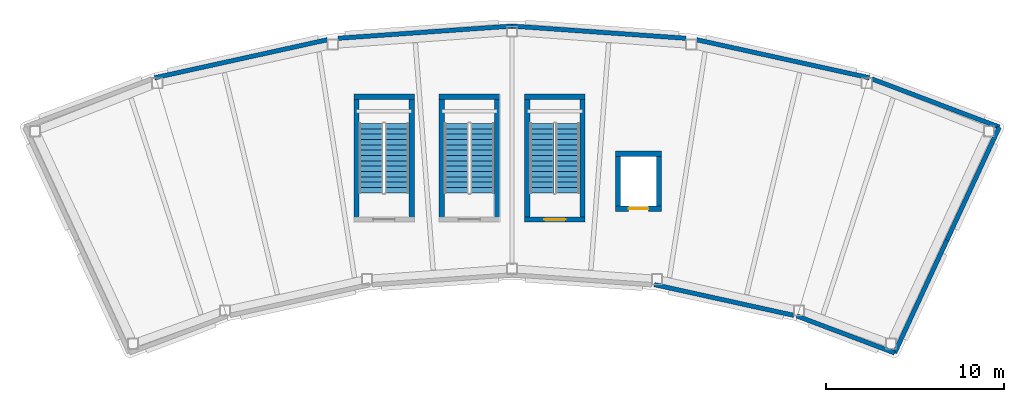
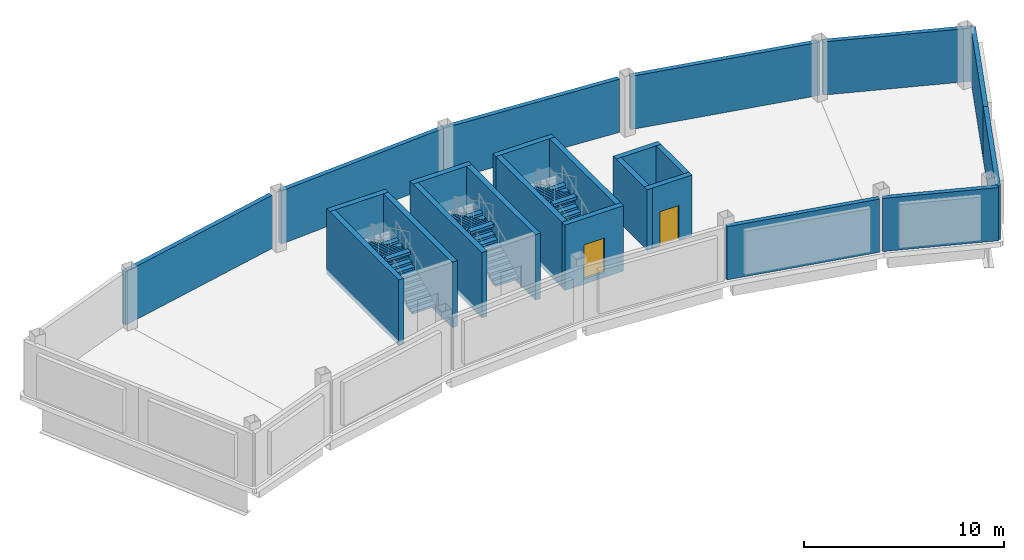
# One storey, part 2 of 3: 23 walls, 6 stair flights, 2 doors, 2 openings, 3 elements without a shape of their own.
"""IFC4 building model written with IfcOpenShell, lengths in metres."""

from ifc_helpers import new_model, si_unit, direction, frame, frame_2d, origin, place, context, subcontext, project, spatial, polyline, rectangle, outline, extrude, material, layer, layer_set, type_object, element, fill, aggregate, save


model = new_model("IFC4")

# Units and contexts
model_context = context("Model", 3, precision=1e-05, world=origin(), true_north=direction((0.0, 1.0)))
body_context = subcontext(model_context, "Body", "Model", "MODEL_VIEW")
ifc_project = project(units=[si_unit("LENGTHUNIT", "METRE"), si_unit("AREAUNIT", "SQUARE_METRE"), si_unit("VOLUMEUNIT", "CUBIC_METRE"), si_unit("PLANEANGLEUNIT", "RADIAN"), si_unit("MASSUNIT", "GRAM", prefix="KILO")], contexts=[model_context])

# Site, building, storey
site_placement = place(None, origin())
site = spatial("IfcSite", under=ifc_project, at=site_placement, CompositionType="ELEMENT")
building_placement = place(site_placement, origin())
building = spatial("IfcBuilding", under=site, at=building_placement, Name="Tuul Gate Civic Tower", CompositionType="ELEMENT")
storey_placement = place(building_placement, frame((0.0, 0.0, 372.10009765625)))
storey = spatial("IfcBuildingStorey", under=building, at=storey_placement, Name="Crown tier 2 upper", CompositionType="ELEMENT", Elevation=372.10009765625)

# Walls
ifc_material_1 = material(Name="Concrete C50/60", Category="concrete")
ifc_layer_1 = layer(ifc_material_1, 0.300048828125)
ifc_layer_set_1 = layer_set([ifc_layer_1], Name="Concrete C50/60")
wall_type_1 = type_object("IfcWallType", Name="Core wall C50/60", PredefinedType="SHEAR", material=ifc_layer_set_1)
for number, where, z_axis, x_axis, name in (
    (1, (-3.449951171875, -0.89990234375, -0.300048828125), (0.0, 0.0, 1.0), (0.0, 1.0, 0.0), "Core wall"),
    (2, (-6.550048828125, 6.300048828125, -0.300048828125), (0.0, 0.0, 1.0), (0.0, -1.0, 0.0), "Core wall"),
):
    element("IfcWall", number, at=place(storey_placement, frame(where, z_axis=z_axis, x_axis=x_axis)), inside=storey, type_object=wall_type_1, Name=name, PredefinedType="SHEAR", context=body_context, shape_type="SweptSolid", body=[
        extrude(rectangle(XDim=7.199951171875, YDim=0.300048828125, at=frame_2d((3.60009765625, 0.0))), origin(), (0.0, 0.0, 1.0), 4.0),
    ])
wall_1_placement = place(storey_placement, frame((-3.300048828125, 6.14990234375, -0.300048828125), z_axis=(0.0, 0.0, 1.0), x_axis=(-1.0, 0.0, 0.0)))
element("IfcWall", 3, at=wall_1_placement, inside=storey, type_object=wall_type_1, Name="Core wall", PredefinedType="SHEAR", context=body_context, shape_type="SweptSolid", body=[
    extrude(rectangle(XDim=3.39990234375, YDim=0.300048828125, at=frame_2d((1.699951171875, 0.0))), origin(), (0.0, 0.0, 1.0), 4.0),
])
for number, where, z_axis, x_axis, name in (
    (4, (1.35009765625, -0.89990234375, -0.300048828125), (0.0, 0.0, 1.0), (0.0, 1.0, 0.0), "Core wall"),
    (5, (-1.75, 6.300048828125, -0.300048828125), (0.0, 0.0, 1.0), (0.0, -1.0, 0.0), "Core wall"),
):
    element("IfcWall", number, at=place(storey_placement, frame(where, z_axis=z_axis, x_axis=x_axis)), inside=storey, type_object=wall_type_1, Name=name, PredefinedType="SHEAR", context=body_context, shape_type="SweptSolid", body=[
        extrude(rectangle(XDim=7.199951171875, YDim=0.300048828125, at=frame_2d((3.60009765625, 0.0))), origin(), (0.0, 0.0, 1.0), 4.0),
    ])
wall_2_placement = place(storey_placement, frame((1.5, 6.14990234375, -0.300048828125), z_axis=(0.0, 0.0, 1.0), x_axis=(-1.0, 0.0, 0.0)))
element("IfcWall", 6, at=wall_2_placement, inside=storey, type_object=wall_type_1, Name="Core wall", PredefinedType="SHEAR", context=body_context, shape_type="SweptSolid", body=[
    extrude(rectangle(XDim=3.39990234375, YDim=0.300048828125, at=frame_2d((1.699951171875, 0.0))), origin(), (0.0, 0.0, 1.0), 4.0),
])
for number, where, z_axis, x_axis, name in (
    (7, (6.14990234375, -0.89990234375, -0.300048828125), (0.0, 0.0, 1.0), (0.0, 1.0, 0.0), "Core wall"),
    (8, (3.050048828125, 6.300048828125, -0.300048828125), (0.0, 0.0, 1.0), (0.0, -1.0, 0.0), "Core wall"),
):
    element("IfcWall", number, at=place(storey_placement, frame(where, z_axis=z_axis, x_axis=x_axis)), inside=storey, type_object=wall_type_1, Name=name, PredefinedType="SHEAR", context=body_context, shape_type="SweptSolid", body=[
        extrude(rectangle(XDim=7.199951171875, YDim=0.300048828125, at=frame_2d((3.60009765625, 0.0))), origin(), (0.0, 0.0, 1.0), 4.0),
    ])
wall_3_placement = place(storey_placement, frame((6.300048828125, 6.14990234375, -0.300048828125), z_axis=(0.0, 0.0, 1.0), x_axis=(-1.0, 0.0, 0.0)))
element("IfcWall", 9, at=wall_3_placement, inside=storey, type_object=wall_type_1, Name="Core wall", PredefinedType="SHEAR", context=body_context, shape_type="SweptSolid", body=[
    extrude(rectangle(XDim=3.400146484375, YDim=0.300048828125, at=frame_2d((1.7001953125, 0.0))), origin(), (0.0, 0.0, 1.0), 4.0),
])

# Wall, opening, door
wall_4_placement = place(storey_placement, frame((6.300048828125, -0.75, -0.300048828125), z_axis=(0.0, 0.0, 1.0), x_axis=(-1.0, 0.0, 0.0)))
wall_4 = element("IfcWall", 10, at=wall_4_placement, inside=storey, type_object=wall_type_1, Name="Core wall", PredefinedType="SHEAR", context=body_context, shape_type="SweptSolid", body=[
    extrude(rectangle(XDim=3.400146484375, YDim=0.300048828125, at=frame_2d((1.7001953125, 0.0))), origin(), (0.0, 0.0, 1.0), 4.0),
])
opening_1_placement = place(wall_4_placement, frame((1.10009765625, 0.0, 0.300048828125)))
opening_1 = element("IfcOpeningElement", 11, at=opening_1_placement, cuts=wall_4, Name="Opening SD-ST-7", PredefinedType="OPENING", context=body_context, shape_type="SweptSolid", body=[
    extrude(rectangle(XDim=1.199951171875, YDim=2.10009765625, at=frame_2d((0.60009765625, 1.050048828125))), frame((0.0, 0.16015625, 0.0), z_axis=(0.0, -1.0, 0.0), x_axis=(1.0, 0.0, 0.0)), (0.0, 0.0, 1.0), 0.320068359375),
])
ifc_material_2 = material(Name="Steel", Category="steel")
door_type_1 = type_object("IfcDoorType", Name="Stair door", OperationType="NOTDEFINED", PredefinedType="DOOR", material=ifc_material_2)
door_1_placement = place(opening_1_placement, origin())
door_1 = element("IfcDoor", 12, at=door_1_placement, inside=storey, type_object=door_type_1, Name="Stair door ST-7", OperationType="SINGLE_SWING_LEFT", OverallHeight=2.10009765625, OverallWidth=1.199951171875, PredefinedType="DOOR", context=body_context, shape_type="SweptSolid", body=[
    extrude(rectangle(XDim=1.199951171875, YDim=2.10009765625, at=frame_2d((0.60009765625, 1.050048828125))), frame((0.0, 0.02490234375, 0.0), z_axis=(0.0, -1.0, 0.0), x_axis=(1.0, 0.0, 0.0)), (0.0, 0.0, 1.0), 0.050048828125),
])
fill(opening_1, door_1)

# Walls
for number, where, z_axis, x_axis, name in (
    (13, (10.449951171875, -0.300048828125, 0.0), (0.0, 0.0, 1.0), (0.0, 1.0, 0.0), "Core wall"),
    (14, (8.14990234375, 3.10009765625, 0.0), (0.0, 0.0, 1.0), (0.0, -1.0, 0.0), "Core wall"),
):
    element("IfcWall", number, at=place(storey_placement, frame(where, z_axis=z_axis, x_axis=x_axis)), inside=storey, type_object=wall_type_1, Name=name, PredefinedType="SHEAR", context=body_context, shape_type="SweptSolid", body=[
        extrude(rectangle(XDim=3.400146484375, YDim=0.300048828125, at=frame_2d((1.7001953125, 0.0))), origin(), (0.0, 0.0, 1.0), 3.699951171875),
    ])
wall_5_placement = place(storey_placement, frame((10.60009765625, 2.949951171875, 0.0), z_axis=(0.0, 0.0, 1.0), x_axis=(-1.0, 0.0, 0.0)))
element("IfcWall", 15, at=wall_5_placement, inside=storey, type_object=wall_type_1, Name="Core wall", PredefinedType="SHEAR", context=body_context, shape_type="SweptSolid", body=[
    extrude(rectangle(XDim=2.60009765625, YDim=0.300048828125, at=frame_2d((1.300048828125, 0.0))), origin(), (0.0, 0.0, 1.0), 3.699951171875),
])

# Wall, opening, door
wall_6_placement = place(storey_placement, frame((10.60009765625, -0.14990234375, 0.0), z_axis=(0.0, 0.0, 1.0), x_axis=(-1.0, 0.0, 0.0)))
wall_6 = element("IfcWall", 16, at=wall_6_placement, inside=storey, type_object=wall_type_1, Name="Core wall", PredefinedType="SHEAR", context=body_context, shape_type="SweptSolid", body=[
    extrude(rectangle(XDim=2.60009765625, YDim=0.300048828125, at=frame_2d((1.300048828125, 0.0))), origin(), (0.0, 0.0, 1.0), 3.699951171875),
])
opening_2_placement = place(wall_6_placement, frame((0.75, 0.0, 0.0)))
opening_2 = element("IfcOpeningElement", 17, at=opening_2_placement, cuts=wall_6, Name="Opening LD-X4", PredefinedType="OPENING", context=body_context, shape_type="SweptSolid", body=[
    extrude(rectangle(XDim=1.10009765625, YDim=2.10009765625, at=frame_2d((0.550048828125, 1.050048828125))), frame((0.0, 0.16015625, 0.0), z_axis=(0.0, -1.0, 0.0), x_axis=(1.0, 0.0, 0.0)), (0.0, 0.0, 1.0), 0.320068359375),
])
ifc_material_3 = material(Name="Stainless steel", Category="steel")
door_type_2 = type_object("IfcDoorType", Name="Landing door", OperationType="DOUBLE_DOOR_SLIDING", PredefinedType="DOOR", material=ifc_material_3)
door_2_placement = place(opening_2_placement, origin())
door_2 = element("IfcDoor", 18, at=door_2_placement, inside=storey, type_object=door_type_2, Name="Crown lift X4 landing door", OperationType="DOUBLE_DOOR_SLIDING", OverallHeight=2.10009765625, OverallWidth=1.10009765625, PredefinedType="DOOR", context=body_context, shape_type="SweptSolid", body=[
    extrude(rectangle(XDim=1.10009765625, YDim=2.10009765625, at=frame_2d((0.550048828125, 1.050048828125))), frame((0.0, 0.02490234375, 0.0), z_axis=(0.0, -1.0, 0.0), x_axis=(1.0, 0.0, 0.0)), (0.0, 0.0, 1.0), 0.050048828125),
])
fill(opening_2, door_2)

# Walls
ifc_material_4 = material(Name="Precast concrete C40/50", Category="concrete")
ifc_layer_2 = layer(ifc_material_4, 0.25)
ifc_layer_set_2 = layer_set([ifc_layer_2], Name="Precast concrete C40/50")
wall_type_2 = type_object("IfcWallType", Name="External wall", PredefinedType="STANDARD", material=ifc_layer_set_2)
wall_7_placement = place(storey_placement, frame((29.57373046875, 4.445556640625, 0.0), z_axis=(0.0, 0.0, 1.0), x_axis=(-0.935373959386, 0.353660226917, 0.0)))
element("IfcWall", 19, at=wall_7_placement, inside=storey, type_object=wall_type_2, Name="External wall", PredefinedType="STANDARD", context=body_context, shape_type="SweptSolid", body=[
    extrude(rectangle(XDim=7.642578125, YDim=0.25, at=frame_2d((3.8212890625, 0.0))), origin(), (0.0, 0.0, 1.0), 3.25),
])
wall_8_placement = place(storey_placement, frame((22.275634765625, 7.214111328125, 0.0), z_axis=(0.0, 0.0, 1.0), x_axis=(-0.976569089851, 0.215204118797, 0.0)))
element("IfcWall", 20, at=wall_8_placement, inside=storey, type_object=wall_type_2, Name="External wall", PredefinedType="STANDARD", context=body_context, shape_type="SweptSolid", body=[
    extrude(rectangle(XDim=9.944580078125, YDim=0.25, at=frame_2d((4.97216796875, 0.0))), origin(), (0.0, 0.0, 1.0), 3.25),
])
for number, where, z_axis, x_axis, name in (
    (21, (11.96728515625, 9.434814453125, 0.0), (0.0, 0.0, 1.0), (-0.997549934395, 0.069958047347, 0.0), "External wall"),
    (22, (2.19189453125, 10.120361328125, 0.0), (0.0, 0.0, 1.0), (-0.997549934395, -0.069958047347, 0.0), "External wall"),
):
    element("IfcWall", number, at=place(storey_placement, frame(where, z_axis=z_axis, x_axis=x_axis)), inside=storey, type_object=wall_type_2, Name=name, PredefinedType="STANDARD", context=body_context, shape_type="SweptSolid", body=[
        extrude(rectangle(XDim=9.79931640625, YDim=0.25, at=frame_2d((4.899658203125, 0.0))), origin(), (0.0, 0.0, 1.0), 3.25),
    ])
wall_9_placement = place(storey_placement, frame((-8.179931640625, 9.354248046875, 0.0), z_axis=(0.0, 0.0, 1.0), x_axis=(-0.976569089851, -0.215204118797, 0.0)))
element("IfcWall", 23, at=wall_9_placement, inside=storey, type_object=wall_type_2, Name="External wall", PredefinedType="STANDARD", context=body_context, shape_type="SweptSolid", body=[
    extrude(rectangle(XDim=9.944580078125, YDim=0.25, at=frame_2d((4.97216796875, 0.0))), origin(), (0.0, 0.0, 1.0), 3.25),
])
wall_10_placement = place(storey_placement, frame((10.1953125, -4.407958984375, 0.0), z_axis=(0.0, 0.0, 1.0), x_axis=(0.976553353114, -0.215275517701, 0.0)))
element("IfcWall", 24, at=wall_10_placement, inside=storey, type_object=wall_type_2, Name="External wall", PredefinedType="STANDARD", context=body_context, shape_type="SweptSolid", body=[
    extrude(rectangle(XDim=8.0146484375, YDim=0.25, at=frame_2d((4.00732421875, 0.0))), origin(), (0.0, 0.0, 1.0), 3.25),
])
wall_11_placement = place(storey_placement, frame((18.197265625, -6.1669921875, 0.0), z_axis=(0.0, 0.0, 1.0), x_axis=(0.935371336627, -0.353667163611, 0.0)))
element("IfcWall", 25, at=wall_11_placement, inside=storey, type_object=wall_type_2, Name="External wall", PredefinedType="STANDARD", context=body_context, shape_type="SweptSolid", body=[
    extrude(rectangle(XDim=5.876708984375, YDim=0.25, at=frame_2d((2.9384765625, 0.0))), origin(), (0.0, 0.0, 1.0), 3.25),
])
wall_12_placement = place(storey_placement, frame((23.694091796875, -8.245361328125, 0.0), z_axis=(0.0, 0.0, 1.0), x_axis=(0.420379555062, 0.907348350793, 0.0)))
element("IfcWall", 26, at=wall_12_placement, inside=storey, type_object=wall_type_2, Name="External wall", PredefinedType="STANDARD", context=body_context, shape_type="SweptSolid", body=[
    extrude(rectangle(XDim=6.980712890625, YDim=0.25, at=frame_2d((3.490234375, 0.0))), origin(), (0.0, 0.0, 1.0), 3.25),
])
wall_13_placement = place(storey_placement, frame((26.628662109375, -1.911376953125, 0.0), z_axis=(0.0, 0.0, 1.0), x_axis=(0.420363755163, 0.907355670807, 0.0)))
element("IfcWall", 27, at=wall_13_placement, inside=storey, type_object=wall_type_2, Name="External wall", PredefinedType="STANDARD", context=body_context, shape_type="SweptSolid", body=[
    extrude(rectangle(XDim=7.006103515625, YDim=0.25, at=frame_2d((3.5029296875, 0.0))), origin(), (0.0, 0.0, 1.0), 3.25),
])

# Stair, stair flights
ifc_material_5 = material(Name="Concrete C40/50", Category="concrete")
stair_type = type_object("IfcStairType", Name="Exit stair", PredefinedType="HALF_TURN_STAIR", material=ifc_material_5)
stair_1_placement = place(storey_placement, origin())
stair_1 = element("IfcStair", 28, at=stair_1_placement, inside=storey, type_object=stair_type, Name="Crown tier 2 upper ST-5", PredefinedType="HALF_TURN_STAIR")
ifc_material_6 = material(Name="Concrete C40/50", Category="concrete")
stair_flight_type = type_object("IfcStairFlightType", Name="Exit stair flight", PredefinedType="STRAIGHT", material=ifc_material_6)
stair_flight_1_placement = place(storey_placement, frame((-4.27490234375, 0.75, 0.0), z_axis=(0.0, 0.0, 1.0), x_axis=(0.0, 1.0, 0.0)))
stair_flight_1 = element("IfcStairFlight", 29, at=stair_flight_1_placement, type_object=stair_flight_type, Name="ST-5 flight 1", NumberOfRisers=14, NumberOfTreads=13, PredefinedType="STRAIGHT", RiserHeight=0.142857143, TreadLength=0.3, context=body_context, shape_type="SweptSolid", body=[
    extrude(outline(polyline([(0.0, 0.0), (0.0, 0.142822265625), (0.300048828125, 0.142822265625), (0.300048828125, 0.28564453125), (0.60009765625, 0.28564453125), (0.60009765625, 0.428466796875), (0.89990234375, 0.428466796875), (0.89990234375, 0.571533203125), (1.199951171875, 0.571533203125), (1.199951171875, 0.71435546875), (1.5, 0.71435546875), (1.5, 0.857177734375), (1.800048828125, 0.857177734375), (1.800048828125, 1.0), (2.10009765625, 1.0), (2.10009765625, 1.142822265625), (2.39990234375, 1.142822265625), (2.39990234375, 1.28564453125), (2.699951171875, 1.28564453125), (2.699951171875, 1.428466796875), (3.0, 1.428466796875), (3.0, 1.571533203125), (3.300048828125, 1.571533203125), (3.300048828125, 1.71435546875), (3.60009765625, 1.71435546875), (3.60009765625, 1.857177734375), (3.89990234375, 1.857177734375), (3.89990234375, 2.0), (3.89990234375, 1.691162109375), (0.3486328125, 0.0), (0.0, 0.0)])), frame((0.0, 0.675048828125, 0.0), z_axis=(0.0, -1.0, 0.0), x_axis=(1.0, 0.0, 0.0)), (0.0, 0.0, 1.0), 1.35009765625),
])
stair_flight_2_placement = place(storey_placement, frame((-5.72509765625, 4.64990234375, 2.0), z_axis=(0.0, 0.0, 1.0), x_axis=(0.0, -1.0, 0.0)))
stair_flight_2 = element("IfcStairFlight", 30, at=stair_flight_2_placement, type_object=stair_flight_type, Name="ST-5 flight 2", NumberOfRisers=14, NumberOfTreads=13, PredefinedType="STRAIGHT", RiserHeight=0.142857143, TreadLength=0.3, context=body_context, shape_type="SweptSolid", body=[
    extrude(outline(polyline([(0.0, 0.0), (0.0, 0.142822265625), (0.300048828125, 0.142822265625), (0.300048828125, 0.28564453125), (0.60009765625, 0.28564453125), (0.60009765625, 0.428466796875), (0.89990234375, 0.428466796875), (0.89990234375, 0.571533203125), (1.199951171875, 0.571533203125), (1.199951171875, 0.71435546875), (1.5, 0.71435546875), (1.5, 0.857177734375), (1.800048828125, 0.857177734375), (1.800048828125, 1.0), (2.10009765625, 1.0), (2.10009765625, 1.142822265625), (2.39990234375, 1.142822265625), (2.39990234375, 1.28564453125), (2.699951171875, 1.28564453125), (2.699951171875, 1.428466796875), (3.0, 1.428466796875), (3.0, 1.571533203125), (3.300048828125, 1.571533203125), (3.300048828125, 1.71435546875), (3.60009765625, 1.71435546875), (3.60009765625, 1.857177734375), (3.89990234375, 1.857177734375), (3.89990234375, 2.0), (3.89990234375, 1.691162109375), (0.3486328125, 0.0), (0.0, 0.0)])), frame((0.0, 0.675048828125, 0.0), z_axis=(0.0, -1.0, 0.0), x_axis=(1.0, 0.0, 0.0)), (0.0, 0.0, 1.0), 1.35009765625),
])
aggregate(stair_1, [stair_flight_1, stair_flight_2])

stair_2_placement = place(storey_placement, origin())
stair_2 = element("IfcStair", 31, at=stair_2_placement, inside=storey, type_object=stair_type, Name="Crown tier 2 upper ST-6", PredefinedType="HALF_TURN_STAIR")
stair_flight_3_placement = place(storey_placement, frame((0.52490234375, 0.75, 0.0), z_axis=(0.0, 0.0, 1.0), x_axis=(0.0, 1.0, 0.0)))
stair_flight_3 = element("IfcStairFlight", 32, at=stair_flight_3_placement, type_object=stair_flight_type, Name="ST-6 flight 1", NumberOfRisers=14, NumberOfTreads=13, PredefinedType="STRAIGHT", RiserHeight=0.142857143, TreadLength=0.3, context=body_context, shape_type="SweptSolid", body=[
    extrude(outline(polyline([(0.0, 0.0), (0.0, 0.142822265625), (0.300048828125, 0.142822265625), (0.300048828125, 0.28564453125), (0.60009765625, 0.28564453125), (0.60009765625, 0.428466796875), (0.89990234375, 0.428466796875), (0.89990234375, 0.571533203125), (1.199951171875, 0.571533203125), (1.199951171875, 0.71435546875), (1.5, 0.71435546875), (1.5, 0.857177734375), (1.800048828125, 0.857177734375), (1.800048828125, 1.0), (2.10009765625, 1.0), (2.10009765625, 1.142822265625), (2.39990234375, 1.142822265625), (2.39990234375, 1.28564453125), (2.699951171875, 1.28564453125), (2.699951171875, 1.428466796875), (3.0, 1.428466796875), (3.0, 1.571533203125), (3.300048828125, 1.571533203125), (3.300048828125, 1.71435546875), (3.60009765625, 1.71435546875), (3.60009765625, 1.857177734375), (3.89990234375, 1.857177734375), (3.89990234375, 2.0), (3.89990234375, 1.691162109375), (0.3486328125, 0.0), (0.0, 0.0)])), frame((0.0, 0.675048828125, 0.0), z_axis=(0.0, -1.0, 0.0), x_axis=(1.0, 0.0, 0.0)), (0.0, 0.0, 1.0), 1.35009765625),
])
stair_flight_4_placement = place(storey_placement, frame((-0.925048828125, 4.64990234375, 2.0), z_axis=(0.0, 0.0, 1.0), x_axis=(0.0, -1.0, 0.0)))
stair_flight_4 = element("IfcStairFlight", 33, at=stair_flight_4_placement, type_object=stair_flight_type, Name="ST-6 flight 2", NumberOfRisers=14, NumberOfTreads=13, PredefinedType="STRAIGHT", RiserHeight=0.142857143, TreadLength=0.3, context=body_context, shape_type="SweptSolid", body=[
    extrude(outline(polyline([(0.0, 0.0), (0.0, 0.142822265625), (0.300048828125, 0.142822265625), (0.300048828125, 0.28564453125), (0.60009765625, 0.28564453125), (0.60009765625, 0.428466796875), (0.89990234375, 0.428466796875), (0.89990234375, 0.571533203125), (1.199951171875, 0.571533203125), (1.199951171875, 0.71435546875), (1.5, 0.71435546875), (1.5, 0.857177734375), (1.800048828125, 0.857177734375), (1.800048828125, 1.0), (2.10009765625, 1.0), (2.10009765625, 1.142822265625), (2.39990234375, 1.142822265625), (2.39990234375, 1.28564453125), (2.699951171875, 1.28564453125), (2.699951171875, 1.428466796875), (3.0, 1.428466796875), (3.0, 1.571533203125), (3.300048828125, 1.571533203125), (3.300048828125, 1.71435546875), (3.60009765625, 1.71435546875), (3.60009765625, 1.857177734375), (3.89990234375, 1.857177734375), (3.89990234375, 2.0), (3.89990234375, 1.691162109375), (0.3486328125, 0.0), (0.0, 0.0)])), frame((0.0, 0.675048828125, 0.0), z_axis=(0.0, -1.0, 0.0), x_axis=(1.0, 0.0, 0.0)), (0.0, 0.0, 1.0), 1.35009765625),
])
aggregate(stair_2, [stair_flight_3, stair_flight_4])

stair_3_placement = place(storey_placement, origin())
stair_3 = element("IfcStair", 34, at=stair_3_placement, inside=storey, type_object=stair_type, Name="Crown tier 2 upper ST-7", PredefinedType="HALF_TURN_STAIR")
stair_flight_5_placement = place(storey_placement, frame((5.324951171875, 0.75, 0.0), z_axis=(0.0, 0.0, 1.0), x_axis=(0.0, 1.0, 0.0)))
stair_flight_5 = element("IfcStairFlight", 35, at=stair_flight_5_placement, type_object=stair_flight_type, Name="ST-7 flight 1", NumberOfRisers=14, NumberOfTreads=13, PredefinedType="STRAIGHT", RiserHeight=0.142857143, TreadLength=0.3, context=body_context, shape_type="SweptSolid", body=[
    extrude(outline(polyline([(0.0, 0.0), (0.0, 0.142822265625), (0.300048828125, 0.142822265625), (0.300048828125, 0.28564453125), (0.60009765625, 0.28564453125), (0.60009765625, 0.428466796875), (0.89990234375, 0.428466796875), (0.89990234375, 0.571533203125), (1.199951171875, 0.571533203125), (1.199951171875, 0.71435546875), (1.5, 0.71435546875), (1.5, 0.857177734375), (1.800048828125, 0.857177734375), (1.800048828125, 1.0), (2.10009765625, 1.0), (2.10009765625, 1.142822265625), (2.39990234375, 1.142822265625), (2.39990234375, 1.28564453125), (2.699951171875, 1.28564453125), (2.699951171875, 1.428466796875), (3.0, 1.428466796875), (3.0, 1.571533203125), (3.300048828125, 1.571533203125), (3.300048828125, 1.71435546875), (3.60009765625, 1.71435546875), (3.60009765625, 1.857177734375), (3.89990234375, 1.857177734375), (3.89990234375, 2.0), (3.89990234375, 1.691162109375), (0.3486328125, 0.0), (0.0, 0.0)])), frame((0.0, 0.675048828125, 0.0), z_axis=(0.0, -1.0, 0.0), x_axis=(1.0, 0.0, 0.0)), (0.0, 0.0, 1.0), 1.35009765625),
])
stair_flight_6_placement = place(storey_placement, frame((3.875, 4.64990234375, 2.0), z_axis=(0.0, 0.0, 1.0), x_axis=(0.0, -1.0, 0.0)))
stair_flight_6 = element("IfcStairFlight", 36, at=stair_flight_6_placement, type_object=stair_flight_type, Name="ST-7 flight 2", NumberOfRisers=14, NumberOfTreads=13, PredefinedType="STRAIGHT", RiserHeight=0.142857143, TreadLength=0.3, context=body_context, shape_type="SweptSolid", body=[
    extrude(outline(polyline([(0.0, 0.0), (0.0, 0.142822265625), (0.300048828125, 0.142822265625), (0.300048828125, 0.28564453125), (0.60009765625, 0.28564453125), (0.60009765625, 0.428466796875), (0.89990234375, 0.428466796875), (0.89990234375, 0.571533203125), (1.199951171875, 0.571533203125), (1.199951171875, 0.71435546875), (1.5, 0.71435546875), (1.5, 0.857177734375), (1.800048828125, 0.857177734375), (1.800048828125, 1.0), (2.10009765625, 1.0), (2.10009765625, 1.142822265625), (2.39990234375, 1.142822265625), (2.39990234375, 1.28564453125), (2.699951171875, 1.28564453125), (2.699951171875, 1.428466796875), (3.0, 1.428466796875), (3.0, 1.571533203125), (3.300048828125, 1.571533203125), (3.300048828125, 1.71435546875), (3.60009765625, 1.71435546875), (3.60009765625, 1.857177734375), (3.89990234375, 1.857177734375), (3.89990234375, 2.0), (3.89990234375, 1.691162109375), (0.3486328125, 0.0), (0.0, 0.0)])), frame((0.0, 0.675048828125, 0.0), z_axis=(0.0, -1.0, 0.0), x_axis=(1.0, 0.0, 0.0)), (0.0, 0.0, 1.0), 1.35009765625),
])
aggregate(stair_3, [stair_flight_5, stair_flight_6])

save(model, "model.ifc")
